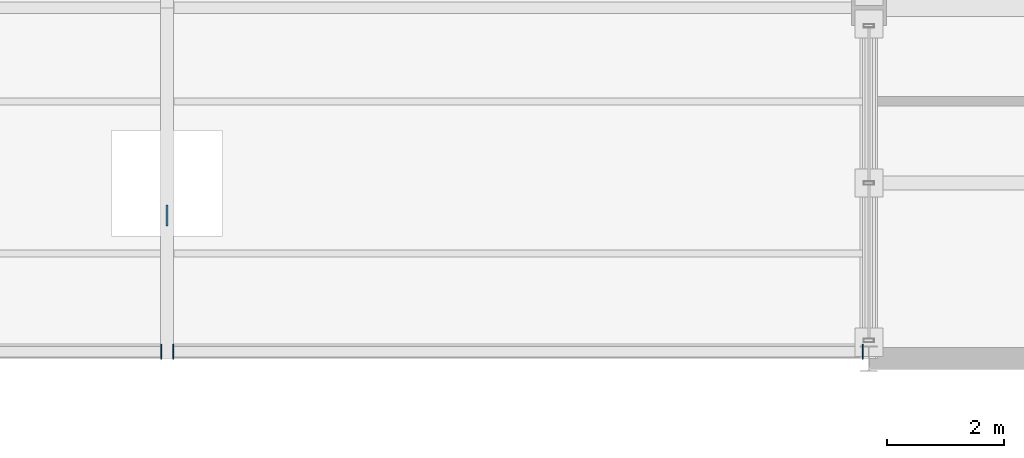
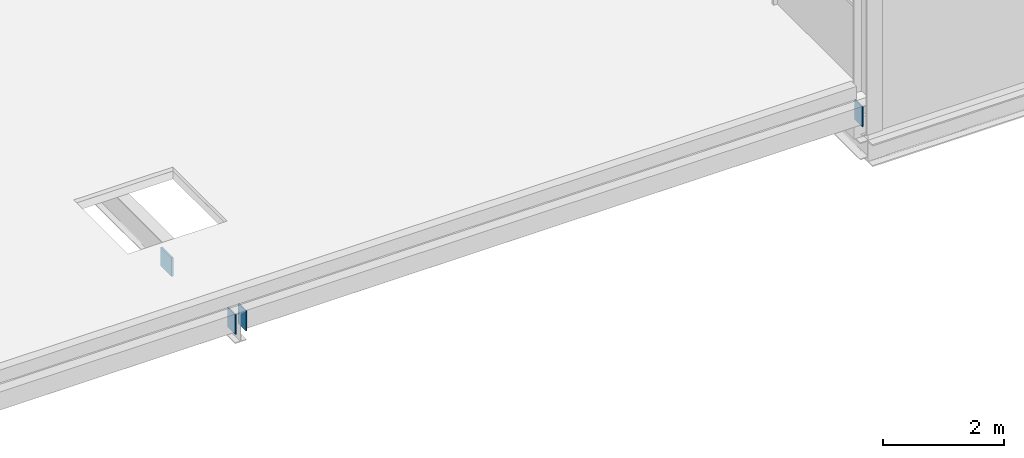
# One storey, part 136 of 159: 4 plates.
"""IFC4 building model written with IfcOpenShell, lengths in metres."""

from ifc_helpers import new_model, si_unit, direction, frame, origin, origin_2d, place, context, subcontext, project, spatial, rectangle, extrude, material, layer, layer_set, type_object, element, save


model = new_model("IFC4")

# Units and contexts
model_context = context("Model", 3, precision=1e-05, world=origin(), true_north=direction((0.0, 1.0)))
body_context = subcontext(model_context, "Body", "Model", "MODEL_VIEW")
ifc_project = project(units=[si_unit("LENGTHUNIT", "METRE"), si_unit("AREAUNIT", "SQUARE_METRE"), si_unit("VOLUMEUNIT", "CUBIC_METRE"), si_unit("PLANEANGLEUNIT", "RADIAN"), si_unit("MASSUNIT", "GRAM", prefix="KILO")], contexts=[model_context])

# Site, building, storey
site_placement = place(None, origin())
site = spatial("IfcSite", under=ifc_project, at=site_placement, CompositionType="ELEMENT")
building_placement = place(site_placement, origin())
building = spatial("IfcBuilding", under=site, at=building_placement, Name="Merenkruunu Market Hall", CompositionType="ELEMENT")
storey_placement = place(building_placement, frame((0.0, 0.0, 5.39990234375)))
storey = spatial("IfcBuildingStorey", under=building, at=storey_placement, Name="L01", CompositionType="ELEMENT", Elevation=5.39990234375)

# Plates
ifc_material = material(Name="Steel S355ML", Category="steel")
ifc_layer_1 = layer(ifc_material, 0.02001953125)
ifc_layer_set_1 = layer_set([ifc_layer_1], Name="Steel S355ML")
plate_type_1 = type_object("IfcPlateType", Name="Truss Gusset Or Cap Plate CP07", PredefinedType="USERDEFINED", material=ifc_layer_set_1)
for number, where, z_axis, x_axis, name in (
    (1, (136.697021484375, 0.1201171875, 0.03515625), (0.0, 0.0, 1.0), (1.0, 0.0, 0.0), "PLT-V6-ENDCAP-26"),
    (2, (136.903076171875, 0.1201171875, 0.03515625), (0.0, 0.0, 1.0), (1.0, 0.0, 0.0), "PLT-V6-ENDCAP-27"),
    (3, (148.697021484375, 0.1201171875, 0.03515625), (0.0, 0.0, 1.0), (1.0, 0.0, 0.0), "PLT-V6-ENDCAP-28"),
):
    element("IfcPlate", number, at=place(storey_placement, frame(where, z_axis=z_axis, x_axis=x_axis)), inside=storey, type_object=plate_type_1, Name=name, ObjectType="GUSSET_PLATE", PredefinedType="USERDEFINED", context=body_context, shape_type="SweptSolid", body=[
        extrude(rectangle(XDim=0.02001953125, YDim=0.260009765625, at=origin_2d()), origin(), (0.0, 0.0, 1.0), 0.39990234375),
    ])
ifc_layer_2 = layer(ifc_material, 0.035888671875)
ifc_layer_set_2 = layer_set([ifc_layer_2], Name="Steel S355ML")
plate_type_2 = type_object("IfcPlateType", Name="Truss Gusset Or Cap Plate CP08", PredefinedType="USERDEFINED", material=ifc_layer_set_2)
plate_placement = place(storey_placement, frame((136.800048828125, 2.449951171875, -0.2099609375), z_axis=(0.0, 0.0, 1.0), x_axis=(1.0, 0.0, 0.0)))
element("IfcPlate", 4, at=plate_placement, inside=storey, type_object=plate_type_2, Name="PLT-V6-STRUT-137-B", ObjectType="GUSSET_PLATE", PredefinedType="USERDEFINED", context=body_context, shape_type="SweptSolid", body=[
    extrude(rectangle(XDim=0.035888671875, YDim=0.360107421875, at=origin_2d()), origin(), (0.0, 0.0, 1.0), 0.3798828125),
])

save(model, "model.ifc")
